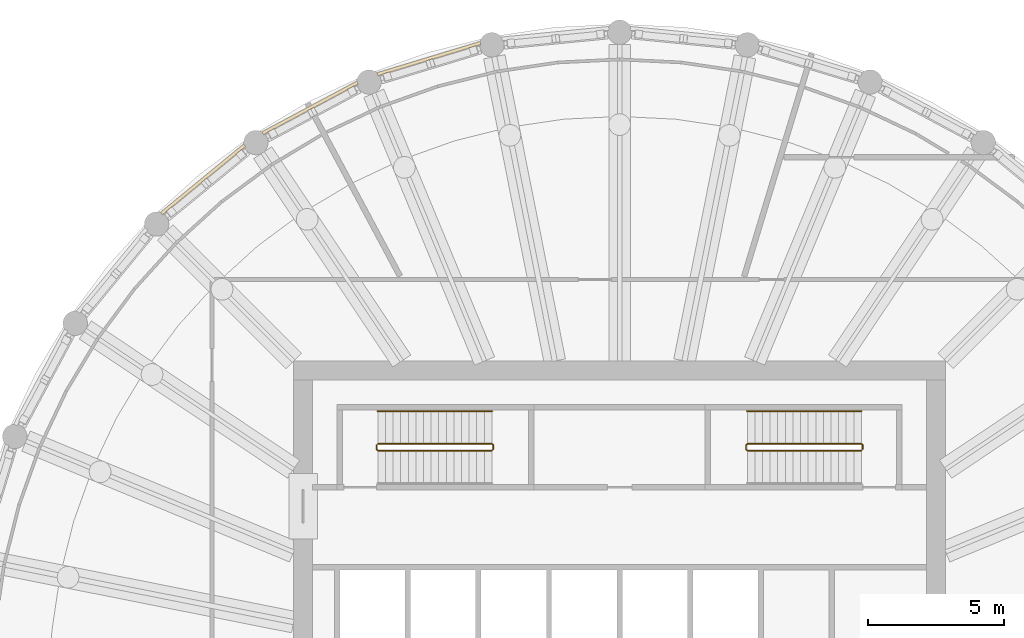
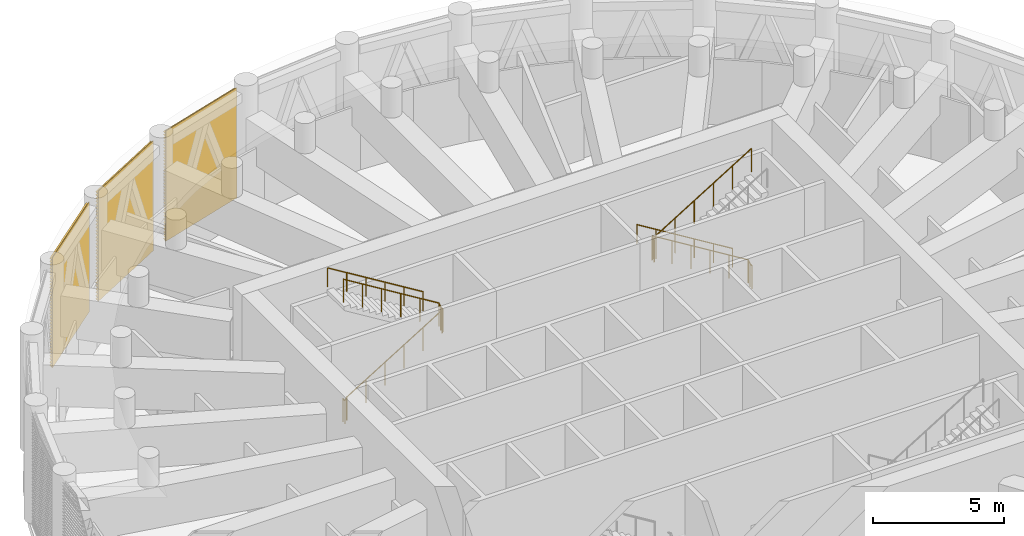
# One storey, part 17 of 19: 4 railings, 3 shading devices, 3 elements without a shape of their own.
"""IFC4 building model written with IfcOpenShell, lengths in metres."""

from ifc_helpers import new_model, si_unit, direction, frame, origin, origin_2d, place, context, subcontext, project, spatial, polyline, circle, outline, extrude, material, material_profile, profile_set, type_object, element, aggregate, save


model = new_model("IFC4")

# Units and contexts
model_context = context("Model", 3, precision=1e-05, world=origin(), true_north=direction((0.0, 1.0)))
body_context = subcontext(model_context, "Body", "Model", "MODEL_VIEW")
ifc_project = project(units=[si_unit("LENGTHUNIT", "METRE"), si_unit("AREAUNIT", "SQUARE_METRE"), si_unit("VOLUMEUNIT", "CUBIC_METRE"), si_unit("PLANEANGLEUNIT", "RADIAN"), si_unit("MASSUNIT", "GRAM", prefix="KILO")], contexts=[model_context])

# Site, building, storey
site_placement = place(None, origin())
site = spatial("IfcSite", under=ifc_project, at=site_placement, CompositionType="ELEMENT")
building_placement = place(site_placement, origin())
building = spatial("IfcBuilding", under=site, at=building_placement, Name="Corvane Civic Tower", CompositionType="ELEMENT")
storey_placement = place(building_placement, frame((0.0, 0.0, 319.0)))
storey = spatial("IfcBuildingStorey", under=building, at=storey_placement, Name="L76", CompositionType="ELEMENT", Elevation=319.0)

# Railings
ifc_material_1 = material(Name="Steel ASTM A572 Gr 50", Category="steel")
railing_type_1 = type_object("IfcRailingType", Name="ST-GUARD-1100", PredefinedType="GUARDRAIL", material=ifc_material_1)
railing_1_placement = place(storey_placement, frame((8.949951171875, 8.75, 0.0)))
element("IfcRailing", 1, at=railing_1_placement, inside=storey, type_object=railing_type_1, Name="L76 ST1 stair guard 1", PredefinedType="GUARDRAIL", context=body_context, shape_type="SweptSolid", body=[
    extrude(circle(Radius=0.02392578125, at=origin_2d()), frame((0.0, 0.0, 1.076171875), z_axis=(0.0, 1.0, 0.0), x_axis=(-1.0, 0.0, 0.0)), (0.0, 0.0, 1.0), 0.14990234375),
    extrude(circle(Radius=0.02392578125, at=origin_2d()), frame((0.0, 0.14990234375, 1.076171875), z_axis=(-0.269255725606, 0.269255725606, 0.92466356501), x_axis=(-0.707106781187, -0.707106781187, 0.0)), (0.0, 0.0, 1.0), 0.185791015625),
    extrude(circle(Radius=0.02392578125, at=origin_2d()), frame((-0.050048828125, 0.199951171875, 1.248046875), z_axis=(-0.852242915053, 0.0, 0.523146264196), x_axis=(0.0, -1.0, 0.0)), (0.0, 0.0, 1.0), 4.92822265625),
    extrude(circle(Radius=0.02392578125, at=origin_2d()), frame((-4.25, 0.199951171875, 3.826171875), z_axis=(-0.707106781187, -0.707106781187, 0.0), x_axis=(0.707106781187, -0.707106781187, 0.0)), (0.0, 0.0, 1.0), 0.07080078125),
    extrude(circle(Radius=0.02392578125, at=origin_2d()), frame((-4.300048828125, 0.14990234375, 3.826171875), z_axis=(0.0, -1.0, 0.0), x_axis=(1.0, 0.0, 0.0)), (0.0, 0.0, 1.0), 0.14990234375),
    extrude(circle(Radius=0.02392578125, at=origin_2d()), frame((-4.300048828125, 0.0, 3.826171875), z_axis=(0.269255725606, -0.269255725606, 0.92466356501), x_axis=(0.707106781187, 0.707106781187, 0.0)), (0.0, 0.0, 1.0), 0.185791015625),
    extrude(circle(Radius=0.02392578125, at=origin_2d()), frame((-4.25, -0.050048828125, 3.998046875), z_axis=(0.852242915053, 0.0, 0.523146264196), x_axis=(0.0, 1.0, 0.0)), (0.0, 0.0, 1.0), 4.92822265625),
    extrude(circle(Radius=0.02099609375, at=origin_2d()), origin(), (0.0, 0.0, 1.0), 1.052001953125),
    extrude(circle(Radius=0.02099609375, at=origin_2d()), frame((0.0, 0.14990234375, 0.0)), (0.0, 0.0, 1.0), 1.052001953125),
    extrude(circle(Radius=0.02099609375, at=origin_2d()), frame((-0.050048828125, 0.199951171875, 0.171875)), (0.0, 0.0, 1.0), 1.052001953125),
    extrude(circle(Radius=0.02099609375, at=origin_2d()), frame((-0.89013671875, 0.199951171875, 0.6875)), (0.0, 0.0, 1.0), 1.052001953125),
    extrude(circle(Radius=0.02099609375, at=origin_2d()), frame((-1.72998046875, 0.199951171875, 1.203125)), (0.0, 0.0, 1.0), 1.052001953125),
    extrude(circle(Radius=0.02099609375, at=origin_2d()), frame((-2.570068359375, 0.199951171875, 1.71875)), (0.0, 0.0, 1.0), 1.052001953125),
    extrude(circle(Radius=0.02099609375, at=origin_2d()), frame((-3.409912109375, 0.199951171875, 2.234375)), (0.0, 0.0, 1.0), 1.052001953125),
    extrude(circle(Radius=0.02099609375, at=origin_2d()), frame((-4.25, 0.199951171875, 2.75)), (0.0, 0.0, 1.0), 1.052001953125),
    extrude(circle(Radius=0.02099609375, at=origin_2d()), frame((-4.300048828125, 0.14990234375, 2.75)), (0.0, 0.0, 1.0), 1.052001953125),
    extrude(circle(Radius=0.02099609375, at=origin_2d()), frame((-4.300048828125, 0.0, 2.75)), (0.0, 0.0, 1.0), 1.052001953125),
    extrude(circle(Radius=0.02099609375, at=origin_2d()), frame((-4.25, -0.050048828125, 2.921875)), (0.0, 0.0, 1.0), 1.052001953125),
    extrude(circle(Radius=0.02099609375, at=origin_2d()), frame((-3.409912109375, -0.050048828125, 3.4375)), (0.0, 0.0, 1.0), 1.052001953125),
    extrude(circle(Radius=0.02099609375, at=origin_2d()), frame((-2.570068359375, -0.050048828125, 3.953125)), (0.0, 0.0, 1.0), 1.052001953125),
    extrude(circle(Radius=0.02099609375, at=origin_2d()), frame((-1.72998046875, -0.050048828125, 4.46875)), (0.0, 0.0, 1.0), 1.052001953125),
    extrude(circle(Radius=0.02099609375, at=origin_2d()), frame((-0.89013671875, -0.050048828125, 4.984375)), (0.0, 0.0, 1.0), 1.052001953125),
    extrude(circle(Radius=0.02099609375, at=origin_2d()), frame((-0.050048828125, -0.050048828125, 5.5)), (0.0, 0.0, 1.0), 1.052001953125),
])
railing_2_placement = place(storey_placement, frame((-8.949951171875, 8.89990234375, 0.0)))
element("IfcRailing", 2, at=railing_2_placement, inside=storey, type_object=railing_type_1, Name="L76 ST4 stair guard 1", PredefinedType="GUARDRAIL", context=body_context, shape_type="SweptSolid", body=[
    extrude(circle(Radius=0.02392578125, at=origin_2d()), frame((0.0, 0.0, 1.076171875), z_axis=(0.0, -1.0, 0.0), x_axis=(1.0, 0.0, 0.0)), (0.0, 0.0, 1.0), 0.14990234375),
    extrude(circle(Radius=0.02392578125, at=origin_2d()), frame((0.0, -0.14990234375, 1.076171875), z_axis=(0.269255725606, -0.269255725606, 0.92466356501), x_axis=(0.707106781187, 0.707106781187, 0.0)), (0.0, 0.0, 1.0), 0.185791015625),
    extrude(circle(Radius=0.02392578125, at=origin_2d()), frame((0.050048828125, -0.199951171875, 1.248046875), z_axis=(0.852242915053, 0.0, 0.523146264196), x_axis=(0.0, 1.0, 0.0)), (0.0, 0.0, 1.0), 4.92822265625),
    extrude(circle(Radius=0.02392578125, at=origin_2d()), frame((4.25, -0.199951171875, 3.826171875), z_axis=(0.707106781187, 0.707106781187, 0.0), x_axis=(-0.707106781187, 0.707106781187, 0.0)), (0.0, 0.0, 1.0), 0.07080078125),
    extrude(circle(Radius=0.02392578125, at=origin_2d()), frame((4.300048828125, -0.14990234375, 3.826171875), z_axis=(0.0, 1.0, 0.0), x_axis=(-1.0, 0.0, 0.0)), (0.0, 0.0, 1.0), 0.14990234375),
    extrude(circle(Radius=0.02392578125, at=origin_2d()), frame((4.300048828125, 0.0, 3.826171875), z_axis=(-0.269255725606, 0.269255725606, 0.92466356501), x_axis=(-0.707106781187, -0.707106781187, 0.0)), (0.0, 0.0, 1.0), 0.185791015625),
    extrude(circle(Radius=0.02392578125, at=origin_2d()), frame((4.25, 0.050048828125, 3.998046875), z_axis=(-0.852242915053, 0.0, 0.523146264196), x_axis=(0.0, -1.0, 0.0)), (0.0, 0.0, 1.0), 4.92822265625),
    extrude(circle(Radius=0.02099609375, at=origin_2d()), origin(), (0.0, 0.0, 1.0), 1.052001953125),
    extrude(circle(Radius=0.02099609375, at=origin_2d()), frame((0.0, -0.14990234375, 0.0)), (0.0, 0.0, 1.0), 1.052001953125),
    extrude(circle(Radius=0.02099609375, at=origin_2d()), frame((0.050048828125, -0.199951171875, 0.171875)), (0.0, 0.0, 1.0), 1.052001953125),
    extrude(circle(Radius=0.02099609375, at=origin_2d()), frame((0.89013671875, -0.199951171875, 0.6875)), (0.0, 0.0, 1.0), 1.052001953125),
    extrude(circle(Radius=0.02099609375, at=origin_2d()), frame((1.72998046875, -0.199951171875, 1.203125)), (0.0, 0.0, 1.0), 1.052001953125),
    extrude(circle(Radius=0.02099609375, at=origin_2d()), frame((2.570068359375, -0.199951171875, 1.71875)), (0.0, 0.0, 1.0), 1.052001953125),
    extrude(circle(Radius=0.02099609375, at=origin_2d()), frame((3.409912109375, -0.199951171875, 2.234375)), (0.0, 0.0, 1.0), 1.052001953125),
    extrude(circle(Radius=0.02099609375, at=origin_2d()), frame((4.25, -0.199951171875, 2.75)), (0.0, 0.0, 1.0), 1.052001953125),
    extrude(circle(Radius=0.02099609375, at=origin_2d()), frame((4.300048828125, -0.14990234375, 2.75)), (0.0, 0.0, 1.0), 1.052001953125),
    extrude(circle(Radius=0.02099609375, at=origin_2d()), frame((4.300048828125, 0.0, 2.75)), (0.0, 0.0, 1.0), 1.052001953125),
    extrude(circle(Radius=0.02099609375, at=origin_2d()), frame((4.25, 0.050048828125, 2.921875)), (0.0, 0.0, 1.0), 1.052001953125),
    extrude(circle(Radius=0.02099609375, at=origin_2d()), frame((3.409912109375, 0.050048828125, 3.4375)), (0.0, 0.0, 1.0), 1.052001953125),
    extrude(circle(Radius=0.02099609375, at=origin_2d()), frame((2.570068359375, 0.050048828125, 3.953125)), (0.0, 0.0, 1.0), 1.052001953125),
    extrude(circle(Radius=0.02099609375, at=origin_2d()), frame((1.72998046875, 0.050048828125, 4.46875)), (0.0, 0.0, 1.0), 1.052001953125),
    extrude(circle(Radius=0.02099609375, at=origin_2d()), frame((0.89013671875, 0.050048828125, 4.984375)), (0.0, 0.0, 1.0), 1.052001953125),
    extrude(circle(Radius=0.02099609375, at=origin_2d()), frame((0.050048828125, 0.050048828125, 5.5)), (0.0, 0.0, 1.0), 1.052001953125),
])
ifc_material_2 = material(Name="Steel ASTM A572 Gr 50", Category="steel")
railing_type_2 = type_object("IfcRailingType", Name="ST-HANDRAIL-900", PredefinedType="HANDRAIL", material=ifc_material_2)
for number, where, name in (
    (3, (8.89990234375, 10.14990234375, 0.171875), "L76 ST1 stair handrail 1"),
    (4, (-4.699951171875, 10.14990234375, 2.921875), "L76 ST4 stair handrail 2"),
):
    element("IfcRailing", number, at=place(storey_placement, frame(where)), inside=storey, type_object=railing_type_2, Name=name, PredefinedType="HANDRAIL", context=body_context, shape_type="SweptSolid", body=[
        extrude(circle(Radius=0.02392578125, at=origin_2d()), frame((0.0, 0.0, 0.8759765625), z_axis=(-0.852242915053, 0.0, 0.523146264196), x_axis=(0.0, -1.0, 0.0)), (0.0, 0.0, 1.0), 4.92822265625),
        extrude(circle(Radius=0.02099609375, at=origin_2d()), origin(), (0.0, 0.0, 1.0), 0.851806640625),
        extrude(circle(Radius=0.02099609375, at=origin_2d()), frame((-0.840087890625, 0.0, 0.515625)), (0.0, 0.0, 1.0), 0.851806640625),
        extrude(circle(Radius=0.02099609375, at=origin_2d()), frame((-1.679931640625, 0.0, 1.03125)), (0.0, 0.0, 1.0), 0.851806640625),
        extrude(circle(Radius=0.02099609375, at=origin_2d()), frame((-2.52001953125, 0.0, 1.546875)), (0.0, 0.0, 1.0), 0.851806640625),
        extrude(circle(Radius=0.02099609375, at=origin_2d()), frame((-3.35986328125, 0.0, 2.0625)), (0.0, 0.0, 1.0), 0.851806640625),
        extrude(circle(Radius=0.02099609375, at=origin_2d()), frame((-4.199951171875, 0.0, 2.578125)), (0.0, 0.0, 1.0), 0.851806640625),
    ])

# Curtain wall, shading device
ifc_material_3 = material(Name="Anodised aluminium bronze", Category="aluminium")
curtain_wall_type = type_object("IfcCurtainWallType", Name="TOWER CW-LV LOUVRE SCREEN WALL", PredefinedType="NOTDEFINED", material=ifc_material_3)
curtain_wall_1_placement = place(storey_placement, origin())
curtain_wall_1 = element("IfcCurtainWall", 5, at=curtain_wall_1_placement, inside=storey, type_object=curtain_wall_type, Name="Louvre screen wall CW-LV L76 bay 29", PredefinedType="NOTDEFINED")
ifc_material_4 = material(Name="Anodised aluminium bronze", Category="aluminium")
ifc_material_profile = material_profile(ifc_material_4, outline(polyline([(-0.06005859375, -2.56494140625), (-0.0400390625, -2.56494140625), (0.06005859375, -2.492919921875), (0.06005859375, -2.472900390625), (-0.0400390625, -2.544921875), (-0.0400390625, -2.4140625), (0.06005859375, -2.342041015625), (0.06005859375, -2.322021484375), (-0.0400390625, -2.39404296875), (-0.0400390625, -2.26318359375), (0.06005859375, -2.191162109375), (0.06005859375, -2.171142578125), (-0.0400390625, -2.2431640625), (-0.0400390625, -2.1123046875), (0.06005859375, -2.040283203125), (0.06005859375, -2.0205078125), (-0.0400390625, -2.09228515625), (-0.0400390625, -1.96142578125), (0.06005859375, -1.889404296875), (0.06005859375, -1.869384765625), (-0.0400390625, -1.94140625), (-0.0400390625, -1.810546875), (0.06005859375, -1.738525390625), (0.06005859375, -1.718505859375), (-0.0400390625, -1.79052734375), (-0.0400390625, -1.65966796875), (0.06005859375, -1.587646484375), (0.06005859375, -1.567626953125), (-0.0400390625, -1.6396484375), (-0.0400390625, -1.5087890625), (0.06005859375, -1.436767578125), (0.06005859375, -1.416748046875), (-0.0400390625, -1.48876953125), (-0.0400390625, -1.35791015625), (0.06005859375, -1.285888671875), (0.06005859375, -1.265869140625), (-0.0400390625, -1.337890625), (-0.0400390625, -1.20703125), (0.06005859375, -1.135009765625), (0.06005859375, -1.114990234375), (-0.0400390625, -1.18701171875), (-0.0400390625, -1.05615234375), (0.06005859375, -0.984130859375), (0.06005859375, -0.964111328125), (-0.0400390625, -1.0361328125), (-0.0400390625, -0.9052734375), (0.06005859375, -0.833251953125), (0.06005859375, -0.813232421875), (-0.0400390625, -0.88525390625), (-0.0400390625, -0.75439453125), (0.06005859375, -0.682373046875), (0.06005859375, -0.662353515625), (-0.0400390625, -0.734375), (-0.0400390625, -0.603515625), (0.06005859375, -0.531494140625), (0.06005859375, -0.511474609375), (-0.0400390625, -0.58349609375), (-0.0400390625, -0.45263671875), (0.06005859375, -0.380615234375), (0.06005859375, -0.360595703125), (-0.0400390625, -0.4326171875), (-0.0400390625, -0.3017578125), (0.06005859375, -0.229736328125), (0.06005859375, -0.209716796875), (-0.0400390625, -0.28173828125), (-0.0400390625, -0.15087890625), (0.06005859375, -0.078857421875), (0.06005859375, -0.058837890625), (-0.0400390625, -0.130859375), (-0.0400390625, 0.0), (0.06005859375, 0.072021484375), (0.06005859375, 0.092041015625), (-0.0400390625, 0.02001953125), (-0.0400390625, 0.15087890625), (0.06005859375, 0.222900390625), (0.06005859375, 0.242919921875), (-0.0400390625, 0.1708984375), (-0.0400390625, 0.3017578125), (0.06005859375, 0.373779296875), (0.06005859375, 0.393798828125), (-0.0400390625, 0.32177734375), (-0.0400390625, 0.45263671875), (0.06005859375, 0.524658203125), (0.06005859375, 0.544677734375), (-0.0400390625, 0.47265625), (-0.0400390625, 0.603515625), (0.06005859375, 0.675537109375), (0.06005859375, 0.695556640625), (-0.0400390625, 0.62353515625), (-0.0400390625, 0.75439453125), (0.06005859375, 0.826416015625), (0.06005859375, 0.846435546875), (-0.0400390625, 0.7744140625), (-0.0400390625, 0.9052734375), (0.06005859375, 0.977294921875), (0.06005859375, 0.997314453125), (-0.0400390625, 0.92529296875), (-0.0400390625, 1.05615234375), (0.06005859375, 1.128173828125), (0.06005859375, 1.148193359375), (-0.0400390625, 1.076171875), (-0.0400390625, 1.20703125), (0.06005859375, 1.279052734375), (0.06005859375, 1.299072265625), (-0.0400390625, 1.22705078125), (-0.0400390625, 1.35791015625), (0.06005859375, 1.429931640625), (0.06005859375, 1.449951171875), (-0.0400390625, 1.3779296875), (-0.0400390625, 1.5087890625), (0.06005859375, 1.580810546875), (0.06005859375, 1.600830078125), (-0.0400390625, 1.52880859375), (-0.0400390625, 1.65966796875), (0.06005859375, 1.731689453125), (0.06005859375, 1.751708984375), (-0.0400390625, 1.6796875), (-0.0400390625, 1.810546875), (0.06005859375, 1.882568359375), (0.06005859375, 1.902587890625), (-0.0400390625, 1.83056640625), (-0.0400390625, 1.96142578125), (0.06005859375, 2.033447265625), (0.06005859375, 2.053466796875), (-0.0400390625, 1.9814453125), (-0.0400390625, 2.1123046875), (0.06005859375, 2.184326171875), (0.06005859375, 2.204345703125), (-0.0400390625, 2.13232421875), (-0.0400390625, 2.26318359375), (0.06005859375, 2.335205078125), (0.06005859375, 2.355224609375), (-0.0400390625, 2.283203125), (-0.0400390625, 2.4140625), (0.06005859375, 2.486083984375), (0.06005859375, 2.506103515625), (-0.0400390625, 2.43408203125), (-0.0400390625, 2.56494140625), (-0.06005859375, 2.56494140625), (-0.06005859375, -2.56494140625)])), Name="TOWER LOUVRE BANK 5130 BRONZE")
ifc_profile_set = profile_set([ifc_material_profile], Name="Anodised aluminium bronze")
shading_device_type = type_object("IfcShadingDeviceType", Name="TOWER LOUVRE BANK 5130 BRONZE", PredefinedType="USERDEFINED", material=ifc_profile_set)
shading_device_1_placement = place(storey_placement, frame((-16.85888671875, 17.422607421875, 2.68505859375), z_axis=(0.772991943051, 0.634415838373, 0.0), x_axis=(-0.634415838373, 0.772991943051, 0.0)))
shading_device_1 = element("IfcShadingDevice", 6, at=shading_device_1_placement, type_object=shading_device_type, Name="Louvre bank L76 29.1", ObjectType="LOUVRE", PredefinedType="USERDEFINED", context=body_context, shape_type="SweptSolid", body=[
    extrude(outline(polyline([(-0.06005859375, -2.56494140625), (-0.0400390625, -2.56494140625), (0.06005859375, -2.492919921875), (0.06005859375, -2.472900390625), (-0.0400390625, -2.544921875), (-0.0400390625, -2.4140625), (0.06005859375, -2.342041015625), (0.06005859375, -2.322021484375), (-0.0400390625, -2.39404296875), (-0.0400390625, -2.26318359375), (0.06005859375, -2.191162109375), (0.06005859375, -2.171142578125), (-0.0400390625, -2.2431640625), (-0.0400390625, -2.1123046875), (0.06005859375, -2.040283203125), (0.06005859375, -2.0205078125), (-0.0400390625, -2.09228515625), (-0.0400390625, -1.96142578125), (0.06005859375, -1.889404296875), (0.06005859375, -1.869384765625), (-0.0400390625, -1.94140625), (-0.0400390625, -1.810546875), (0.06005859375, -1.738525390625), (0.06005859375, -1.718505859375), (-0.0400390625, -1.79052734375), (-0.0400390625, -1.65966796875), (0.06005859375, -1.587646484375), (0.06005859375, -1.567626953125), (-0.0400390625, -1.6396484375), (-0.0400390625, -1.5087890625), (0.06005859375, -1.436767578125), (0.06005859375, -1.416748046875), (-0.0400390625, -1.48876953125), (-0.0400390625, -1.35791015625), (0.06005859375, -1.285888671875), (0.06005859375, -1.265869140625), (-0.0400390625, -1.337890625), (-0.0400390625, -1.20703125), (0.06005859375, -1.135009765625), (0.06005859375, -1.114990234375), (-0.0400390625, -1.18701171875), (-0.0400390625, -1.05615234375), (0.06005859375, -0.984130859375), (0.06005859375, -0.964111328125), (-0.0400390625, -1.0361328125), (-0.0400390625, -0.9052734375), (0.06005859375, -0.833251953125), (0.06005859375, -0.813232421875), (-0.0400390625, -0.88525390625), (-0.0400390625, -0.75439453125), (0.06005859375, -0.682373046875), (0.06005859375, -0.662353515625), (-0.0400390625, -0.734375), (-0.0400390625, -0.603515625), (0.06005859375, -0.531494140625), (0.06005859375, -0.511474609375), (-0.0400390625, -0.58349609375), (-0.0400390625, -0.45263671875), (0.06005859375, -0.380615234375), (0.06005859375, -0.360595703125), (-0.0400390625, -0.4326171875), (-0.0400390625, -0.3017578125), (0.06005859375, -0.229736328125), (0.06005859375, -0.209716796875), (-0.0400390625, -0.28173828125), (-0.0400390625, -0.15087890625), (0.06005859375, -0.078857421875), (0.06005859375, -0.058837890625), (-0.0400390625, -0.130859375), (-0.0400390625, 0.0), (0.06005859375, 0.072021484375), (0.06005859375, 0.092041015625), (-0.0400390625, 0.02001953125), (-0.0400390625, 0.15087890625), (0.06005859375, 0.222900390625), (0.06005859375, 0.242919921875), (-0.0400390625, 0.1708984375), (-0.0400390625, 0.3017578125), (0.06005859375, 0.373779296875), (0.06005859375, 0.393798828125), (-0.0400390625, 0.32177734375), (-0.0400390625, 0.45263671875), (0.06005859375, 0.524658203125), (0.06005859375, 0.544677734375), (-0.0400390625, 0.47265625), (-0.0400390625, 0.603515625), (0.06005859375, 0.675537109375), (0.06005859375, 0.695556640625), (-0.0400390625, 0.62353515625), (-0.0400390625, 0.75439453125), (0.06005859375, 0.826416015625), (0.06005859375, 0.846435546875), (-0.0400390625, 0.7744140625), (-0.0400390625, 0.9052734375), (0.06005859375, 0.977294921875), (0.06005859375, 0.997314453125), (-0.0400390625, 0.92529296875), (-0.0400390625, 1.05615234375), (0.06005859375, 1.128173828125), (0.06005859375, 1.148193359375), (-0.0400390625, 1.076171875), (-0.0400390625, 1.20703125), (0.06005859375, 1.279052734375), (0.06005859375, 1.299072265625), (-0.0400390625, 1.22705078125), (-0.0400390625, 1.35791015625), (0.06005859375, 1.429931640625), (0.06005859375, 1.449951171875), (-0.0400390625, 1.3779296875), (-0.0400390625, 1.5087890625), (0.06005859375, 1.580810546875), (0.06005859375, 1.600830078125), (-0.0400390625, 1.52880859375), (-0.0400390625, 1.65966796875), (0.06005859375, 1.731689453125), (0.06005859375, 1.751708984375), (-0.0400390625, 1.6796875), (-0.0400390625, 1.810546875), (0.06005859375, 1.882568359375), (0.06005859375, 1.902587890625), (-0.0400390625, 1.83056640625), (-0.0400390625, 1.96142578125), (0.06005859375, 2.033447265625), (0.06005859375, 2.053466796875), (-0.0400390625, 1.9814453125), (-0.0400390625, 2.1123046875), (0.06005859375, 2.184326171875), (0.06005859375, 2.204345703125), (-0.0400390625, 2.13232421875), (-0.0400390625, 2.26318359375), (0.06005859375, 2.335205078125), (0.06005859375, 2.355224609375), (-0.0400390625, 2.283203125), (-0.0400390625, 2.4140625), (0.06005859375, 2.486083984375), (0.06005859375, 2.506103515625), (-0.0400390625, 2.43408203125), (-0.0400390625, 2.56494140625), (-0.06005859375, 2.56494140625), (-0.06005859375, -2.56494140625)])), origin(), (0.0, 0.0, 1.0), 3.958740234375),
])
aggregate(curtain_wall_1, [shading_device_1])

curtain_wall_2_placement = place(storey_placement, origin())
curtain_wall_2 = element("IfcCurtainWall", 7, at=curtain_wall_2_placement, inside=storey, type_object=curtain_wall_type, Name="Louvre screen wall CW-LV L76 bay 30", PredefinedType="NOTDEFINED")
shading_device_2_placement = place(storey_placement, frame((-13.135986328125, 20.376708984375, 2.68505859375), z_axis=(0.881883040816, 0.471468241052, 0.0), x_axis=(-0.471468241052, 0.881883040816, 0.0)))
shading_device_2 = element("IfcShadingDevice", 8, at=shading_device_2_placement, type_object=shading_device_type, Name="Louvre bank L76 30.1", ObjectType="LOUVRE", PredefinedType="USERDEFINED", context=body_context, shape_type="SweptSolid", body=[
    extrude(outline(polyline([(-0.06005859375, -2.56494140625), (-0.0400390625, -2.56494140625), (0.06005859375, -2.492919921875), (0.06005859375, -2.472900390625), (-0.0400390625, -2.544921875), (-0.0400390625, -2.4140625), (0.06005859375, -2.342041015625), (0.06005859375, -2.322021484375), (-0.0400390625, -2.39404296875), (-0.0400390625, -2.26318359375), (0.06005859375, -2.191162109375), (0.06005859375, -2.171142578125), (-0.0400390625, -2.2431640625), (-0.0400390625, -2.1123046875), (0.06005859375, -2.040283203125), (0.06005859375, -2.0205078125), (-0.0400390625, -2.09228515625), (-0.0400390625, -1.96142578125), (0.06005859375, -1.889404296875), (0.06005859375, -1.869384765625), (-0.0400390625, -1.94140625), (-0.0400390625, -1.810546875), (0.06005859375, -1.738525390625), (0.06005859375, -1.718505859375), (-0.0400390625, -1.79052734375), (-0.0400390625, -1.65966796875), (0.06005859375, -1.587646484375), (0.06005859375, -1.567626953125), (-0.0400390625, -1.6396484375), (-0.0400390625, -1.5087890625), (0.06005859375, -1.436767578125), (0.06005859375, -1.416748046875), (-0.0400390625, -1.48876953125), (-0.0400390625, -1.35791015625), (0.06005859375, -1.285888671875), (0.06005859375, -1.265869140625), (-0.0400390625, -1.337890625), (-0.0400390625, -1.20703125), (0.06005859375, -1.135009765625), (0.06005859375, -1.114990234375), (-0.0400390625, -1.18701171875), (-0.0400390625, -1.05615234375), (0.06005859375, -0.984130859375), (0.06005859375, -0.964111328125), (-0.0400390625, -1.0361328125), (-0.0400390625, -0.9052734375), (0.06005859375, -0.833251953125), (0.06005859375, -0.813232421875), (-0.0400390625, -0.88525390625), (-0.0400390625, -0.75439453125), (0.06005859375, -0.682373046875), (0.06005859375, -0.662353515625), (-0.0400390625, -0.734375), (-0.0400390625, -0.603515625), (0.06005859375, -0.531494140625), (0.06005859375, -0.511474609375), (-0.0400390625, -0.58349609375), (-0.0400390625, -0.45263671875), (0.06005859375, -0.380615234375), (0.06005859375, -0.360595703125), (-0.0400390625, -0.4326171875), (-0.0400390625, -0.3017578125), (0.06005859375, -0.229736328125), (0.06005859375, -0.209716796875), (-0.0400390625, -0.28173828125), (-0.0400390625, -0.15087890625), (0.06005859375, -0.078857421875), (0.06005859375, -0.058837890625), (-0.0400390625, -0.130859375), (-0.0400390625, 0.0), (0.06005859375, 0.072021484375), (0.06005859375, 0.092041015625), (-0.0400390625, 0.02001953125), (-0.0400390625, 0.15087890625), (0.06005859375, 0.222900390625), (0.06005859375, 0.242919921875), (-0.0400390625, 0.1708984375), (-0.0400390625, 0.3017578125), (0.06005859375, 0.373779296875), (0.06005859375, 0.393798828125), (-0.0400390625, 0.32177734375), (-0.0400390625, 0.45263671875), (0.06005859375, 0.524658203125), (0.06005859375, 0.544677734375), (-0.0400390625, 0.47265625), (-0.0400390625, 0.603515625), (0.06005859375, 0.675537109375), (0.06005859375, 0.695556640625), (-0.0400390625, 0.62353515625), (-0.0400390625, 0.75439453125), (0.06005859375, 0.826416015625), (0.06005859375, 0.846435546875), (-0.0400390625, 0.7744140625), (-0.0400390625, 0.9052734375), (0.06005859375, 0.977294921875), (0.06005859375, 0.997314453125), (-0.0400390625, 0.92529296875), (-0.0400390625, 1.05615234375), (0.06005859375, 1.128173828125), (0.06005859375, 1.148193359375), (-0.0400390625, 1.076171875), (-0.0400390625, 1.20703125), (0.06005859375, 1.279052734375), (0.06005859375, 1.299072265625), (-0.0400390625, 1.22705078125), (-0.0400390625, 1.35791015625), (0.06005859375, 1.429931640625), (0.06005859375, 1.449951171875), (-0.0400390625, 1.3779296875), (-0.0400390625, 1.5087890625), (0.06005859375, 1.580810546875), (0.06005859375, 1.600830078125), (-0.0400390625, 1.52880859375), (-0.0400390625, 1.65966796875), (0.06005859375, 1.731689453125), (0.06005859375, 1.751708984375), (-0.0400390625, 1.6796875), (-0.0400390625, 1.810546875), (0.06005859375, 1.882568359375), (0.06005859375, 1.902587890625), (-0.0400390625, 1.83056640625), (-0.0400390625, 1.96142578125), (0.06005859375, 2.033447265625), (0.06005859375, 2.053466796875), (-0.0400390625, 1.9814453125), (-0.0400390625, 2.1123046875), (0.06005859375, 2.184326171875), (0.06005859375, 2.204345703125), (-0.0400390625, 2.13232421875), (-0.0400390625, 2.26318359375), (0.06005859375, 2.335205078125), (0.06005859375, 2.355224609375), (-0.0400390625, 2.283203125), (-0.0400390625, 2.4140625), (0.06005859375, 2.486083984375), (0.06005859375, 2.506103515625), (-0.0400390625, 2.43408203125), (-0.0400390625, 2.56494140625), (-0.06005859375, 2.56494140625), (-0.06005859375, -2.56494140625)])), origin(), (0.0, 0.0, 1.0), 3.958740234375),
])
aggregate(curtain_wall_2, [shading_device_2])

curtain_wall_3_placement = place(storey_placement, origin())
curtain_wall_3 = element("IfcCurtainWall", 9, at=curtain_wall_3_placement, inside=storey, type_object=curtain_wall_type, Name="Louvre screen wall CW-LV L76 bay 31", PredefinedType="NOTDEFINED")
shading_device_3_placement = place(storey_placement, frame((-8.908447265625, 22.548095703125, 2.68505859375), z_axis=(0.956946054205, 0.290265825309, 0.0), x_axis=(-0.290265825309, 0.956946054205, 0.0)))
shading_device_3 = element("IfcShadingDevice", 10, at=shading_device_3_placement, type_object=shading_device_type, Name="Louvre bank L76 31.1", ObjectType="LOUVRE", PredefinedType="USERDEFINED", context=body_context, shape_type="SweptSolid", body=[
    extrude(outline(polyline([(-0.06005859375, -2.56494140625), (-0.0400390625, -2.56494140625), (0.06005859375, -2.492919921875), (0.06005859375, -2.472900390625), (-0.0400390625, -2.544921875), (-0.0400390625, -2.4140625), (0.06005859375, -2.342041015625), (0.06005859375, -2.322021484375), (-0.0400390625, -2.39404296875), (-0.0400390625, -2.26318359375), (0.06005859375, -2.191162109375), (0.06005859375, -2.171142578125), (-0.0400390625, -2.2431640625), (-0.0400390625, -2.1123046875), (0.06005859375, -2.040283203125), (0.06005859375, -2.0205078125), (-0.0400390625, -2.09228515625), (-0.0400390625, -1.96142578125), (0.06005859375, -1.889404296875), (0.06005859375, -1.869384765625), (-0.0400390625, -1.94140625), (-0.0400390625, -1.810546875), (0.06005859375, -1.738525390625), (0.06005859375, -1.718505859375), (-0.0400390625, -1.79052734375), (-0.0400390625, -1.65966796875), (0.06005859375, -1.587646484375), (0.06005859375, -1.567626953125), (-0.0400390625, -1.6396484375), (-0.0400390625, -1.5087890625), (0.06005859375, -1.436767578125), (0.06005859375, -1.416748046875), (-0.0400390625, -1.48876953125), (-0.0400390625, -1.35791015625), (0.06005859375, -1.285888671875), (0.06005859375, -1.265869140625), (-0.0400390625, -1.337890625), (-0.0400390625, -1.20703125), (0.06005859375, -1.135009765625), (0.06005859375, -1.114990234375), (-0.0400390625, -1.18701171875), (-0.0400390625, -1.05615234375), (0.06005859375, -0.984130859375), (0.06005859375, -0.964111328125), (-0.0400390625, -1.0361328125), (-0.0400390625, -0.9052734375), (0.06005859375, -0.833251953125), (0.06005859375, -0.813232421875), (-0.0400390625, -0.88525390625), (-0.0400390625, -0.75439453125), (0.06005859375, -0.682373046875), (0.06005859375, -0.662353515625), (-0.0400390625, -0.734375), (-0.0400390625, -0.603515625), (0.06005859375, -0.531494140625), (0.06005859375, -0.511474609375), (-0.0400390625, -0.58349609375), (-0.0400390625, -0.45263671875), (0.06005859375, -0.380615234375), (0.06005859375, -0.360595703125), (-0.0400390625, -0.4326171875), (-0.0400390625, -0.3017578125), (0.06005859375, -0.229736328125), (0.06005859375, -0.209716796875), (-0.0400390625, -0.28173828125), (-0.0400390625, -0.15087890625), (0.06005859375, -0.078857421875), (0.06005859375, -0.058837890625), (-0.0400390625, -0.130859375), (-0.0400390625, 0.0), (0.06005859375, 0.072021484375), (0.06005859375, 0.092041015625), (-0.0400390625, 0.02001953125), (-0.0400390625, 0.15087890625), (0.06005859375, 0.222900390625), (0.06005859375, 0.242919921875), (-0.0400390625, 0.1708984375), (-0.0400390625, 0.3017578125), (0.06005859375, 0.373779296875), (0.06005859375, 0.393798828125), (-0.0400390625, 0.32177734375), (-0.0400390625, 0.45263671875), (0.06005859375, 0.524658203125), (0.06005859375, 0.544677734375), (-0.0400390625, 0.47265625), (-0.0400390625, 0.603515625), (0.06005859375, 0.675537109375), (0.06005859375, 0.695556640625), (-0.0400390625, 0.62353515625), (-0.0400390625, 0.75439453125), (0.06005859375, 0.826416015625), (0.06005859375, 0.846435546875), (-0.0400390625, 0.7744140625), (-0.0400390625, 0.9052734375), (0.06005859375, 0.977294921875), (0.06005859375, 0.997314453125), (-0.0400390625, 0.92529296875), (-0.0400390625, 1.05615234375), (0.06005859375, 1.128173828125), (0.06005859375, 1.148193359375), (-0.0400390625, 1.076171875), (-0.0400390625, 1.20703125), (0.06005859375, 1.279052734375), (0.06005859375, 1.299072265625), (-0.0400390625, 1.22705078125), (-0.0400390625, 1.35791015625), (0.06005859375, 1.429931640625), (0.06005859375, 1.449951171875), (-0.0400390625, 1.3779296875), (-0.0400390625, 1.5087890625), (0.06005859375, 1.580810546875), (0.06005859375, 1.600830078125), (-0.0400390625, 1.52880859375), (-0.0400390625, 1.65966796875), (0.06005859375, 1.731689453125), (0.06005859375, 1.751708984375), (-0.0400390625, 1.6796875), (-0.0400390625, 1.810546875), (0.06005859375, 1.882568359375), (0.06005859375, 1.902587890625), (-0.0400390625, 1.83056640625), (-0.0400390625, 1.96142578125), (0.06005859375, 2.033447265625), (0.06005859375, 2.053466796875), (-0.0400390625, 1.9814453125), (-0.0400390625, 2.1123046875), (0.06005859375, 2.184326171875), (0.06005859375, 2.204345703125), (-0.0400390625, 2.13232421875), (-0.0400390625, 2.26318359375), (0.06005859375, 2.335205078125), (0.06005859375, 2.355224609375), (-0.0400390625, 2.283203125), (-0.0400390625, 2.4140625), (0.06005859375, 2.486083984375), (0.06005859375, 2.506103515625), (-0.0400390625, 2.43408203125), (-0.0400390625, 2.56494140625), (-0.06005859375, 2.56494140625), (-0.06005859375, -2.56494140625)])), origin(), (0.0, 0.0, 1.0), 3.958984375),
])
aggregate(curtain_wall_3, [shading_device_3])

save(model, "model.ifc")
